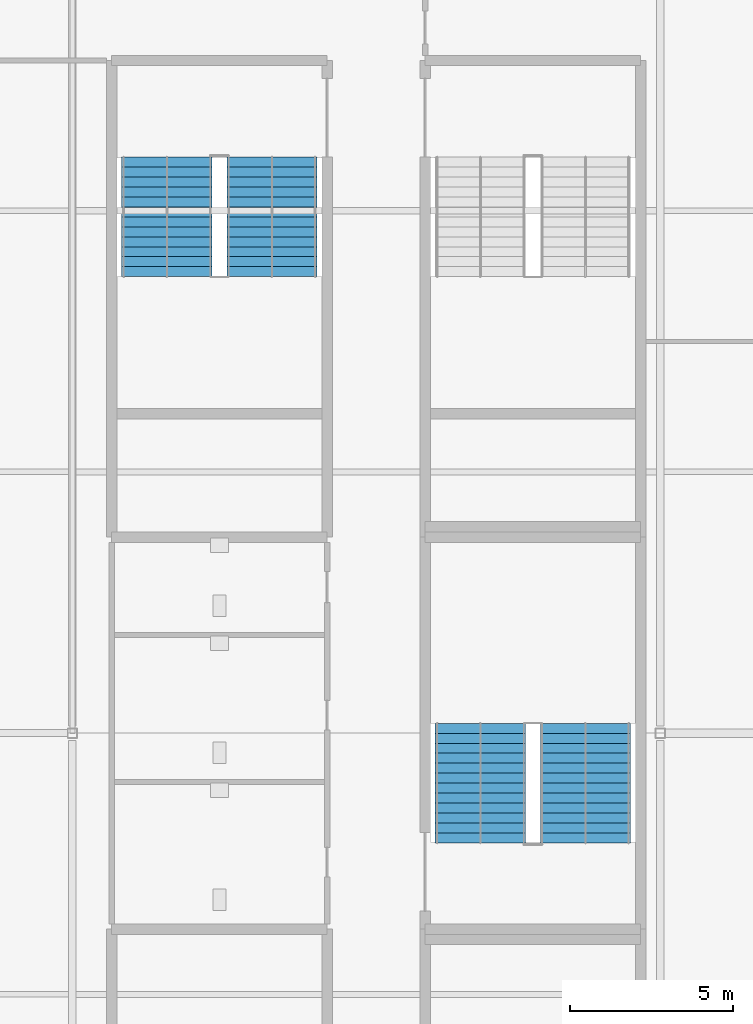
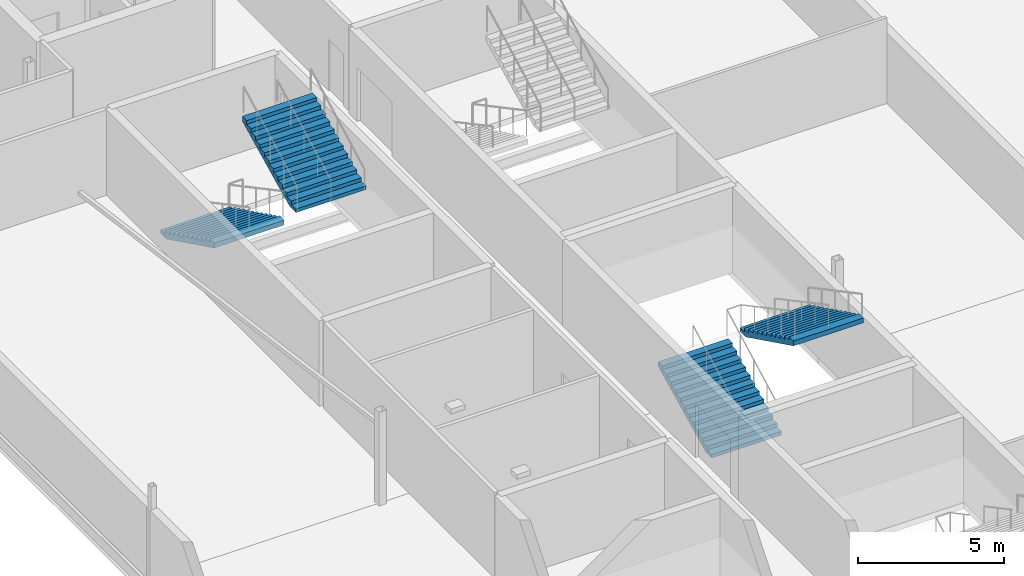
# One storey, part 43 of 55: 4 stair flights, 2 elements without a shape of their own.
"""IFC4 building model written with IfcOpenShell, lengths in metres."""

import ifcopenshell
import ifcopenshell.guid

model = None  # the IFC model being written
_history = None  # IfcOwnerHistory: only IFC2X3 demands one
_inside = {}  # id of a spatial element -> (the spatial element, [elements in it])
_under = {}  # id of a project, library or spatial element -> (it, [spatial elements below it])
_declared = {}  # id of a project -> (the project, [libraries it declares])
_typed = {}  # id of a type object -> (the type object, [elements of that type])
_made_of = {}  # id of a material, layer set ... -> (it, [elements and type objects made of it])


def new_model(schema):
    """Start an empty IFC model of exactly this schema.

    Asked for "IFC4X3", IfcOpenShell would pick the latest addendum, in which some entities
    have other attributes; the version numbers below select the first issue.
    IFC2X3 requires an IfcOwnerHistory on every rooted entity: one is made here for all.
    """
    global model, _history
    if schema == "IFC4X3":
        model = ifcopenshell.file(schema_version=(4, 3, 0, 0))
    else:
        model = ifcopenshell.file(schema=schema)
    _inside.clear()
    _under.clear()
    _declared.clear()
    _typed.clear()
    _made_of.clear()
    _history = None
    if model.schema == "IFC2X3":
        org = make("IfcOrganization", Name="unknown")
        user = make(
            "IfcPersonAndOrganization",
            ThePerson=make("IfcPerson", FamilyName="unknown"),
            TheOrganization=org,
        )
        app = make(
            "IfcApplication",
            ApplicationDeveloper=org,
            Version="unknown",
            ApplicationFullName="unknown",
            ApplicationIdentifier="unknown",
        )
        _history = make(
            "IfcOwnerHistory",
            OwningUser=user,
            OwningApplication=app,
            ChangeAction="ADDED",
            CreationDate=0,
        )
    return model


def make(cls, **values):
    """One entity of the class cls with the attributes given. An attribute that is None is left unset."""
    return model.create_entity(
        cls, **{name: value for name, value in values.items() if value is not None}
    )


def rooted(cls, **values):
    """An entity with a GlobalId (a new one), such as an element, a storey or a relation."""
    return make(cls, GlobalId=ifcopenshell.guid.new(), OwnerHistory=_history, **values)


def si_unit(unit_type, name, prefix=None):
    """IfcSIUnit, for example si_unit("LENGTHUNIT", "METRE", prefix="MILLI")."""
    return make("IfcSIUnit", UnitType=unit_type, Prefix=prefix, Name=name)


def assignment(units):
    """IfcUnitAssignment: the units of a project."""
    return None if units is None else make("IfcUnitAssignment", Units=units)


def point(xyz):
    """IfcCartesianPoint."""
    return None if xyz is None else make("IfcCartesianPoint", Coordinates=xyz)


def direction(xyz):
    """IfcDirection."""
    return None if xyz is None else make("IfcDirection", DirectionRatios=xyz)


def frame(location, z_axis=None, x_axis=None):
    """IfcAxis2Placement3D, a coordinate frame: its origin and axes. An axis left out is left unset."""
    return make(
        "IfcAxis2Placement3D",
        Location=point(location),
        Axis=direction(z_axis),
        RefDirection=direction(x_axis),
    )


def origin():
    """The frame at (0, 0, 0) with its axes left unset."""
    return frame((0.0, 0.0, 0.0))


def place(relative_to, where):
    """IfcLocalPlacement: puts the frame where relative to a parent placement (None: the world)."""
    return make(
        "IfcLocalPlacement", PlacementRelTo=relative_to, RelativePlacement=where
    )


def context(
    kind, dimensions, precision=None, world=None, true_north=None, identifier=None
):
    """IfcGeometricRepresentationContext, for example the 3D "Model" context."""
    return make(
        "IfcGeometricRepresentationContext",
        ContextIdentifier=identifier,
        ContextType=kind,
        CoordinateSpaceDimension=dimensions,
        Precision=precision,
        WorldCoordinateSystem=world,
        TrueNorth=true_north,
    )


def subcontext(parent, identifier, kind, view, scale=None):
    """IfcGeometricRepresentationSubContext, for example "Body" below "Model"."""
    return make(
        "IfcGeometricRepresentationSubContext",
        ContextIdentifier=identifier,
        ContextType=kind,
        ParentContext=parent,
        TargetScale=scale,
        TargetView=view,
    )


def project(units=None, contexts=None):
    """IfcProject with its units and contexts."""
    return rooted(
        "IfcProject",
        Name="project",
        RepresentationContexts=contexts,
        UnitsInContext=assignment(units),
    )


def spatial(cls, under=None, at=None, **own):
    """A site, building, storey or space (cls), placed at a placement, below another one or the project."""
    s = rooted(cls, ObjectPlacement=at, **own)
    if under is not None:
        _under.setdefault(under.id(), (under, []))[1].append(s)
    return s


def point_list(points):
    """IfcCartesianPointList2D or 3D."""
    cls = (
        "IfcCartesianPointList2D" if len(points[0]) == 2 else "IfcCartesianPointList3D"
    )
    return make(cls, CoordList=points)


def polygons(points, faces, closed=None, point_numbers=None):
    """IfcPolygonalFaceSet: a face is its outer loop, then its inner loops; points numbered from 1."""
    made = []
    for loops in faces:
        if len(loops) == 1:
            made.append(make("IfcIndexedPolygonalFace", CoordIndex=loops[0]))
        else:
            made.append(
                make(
                    "IfcIndexedPolygonalFaceWithVoids",
                    CoordIndex=loops[0],
                    InnerCoordIndices=loops[1:],
                )
            )
    return make(
        "IfcPolygonalFaceSet",
        Coordinates=point_list(points),
        Closed=closed,
        Faces=made,
        PnIndex=point_numbers,
    )


def shape(context_of_items, identifier, shape_type, items):
    """IfcShapeRepresentation: the items that make up one representation, for example the "Body"."""
    return make(
        "IfcShapeRepresentation",
        ContextOfItems=context_of_items,
        RepresentationIdentifier=identifier,
        RepresentationType=shape_type,
        Items=items,
    )


def material(Name=None, Category=None):
    """IfcMaterial."""
    return make("IfcMaterial", Name=Name, Category=Category)


def made_of(thing, what):
    """Note that an element or type object is made of a material, layer set ...; save() writes the relation."""
    if what is not None:
        _made_of.setdefault(what.id(), (what, []))[1].append(thing)
    return thing


def type_object(cls, material=None, **own):
    """A type object (cls), such as IfcWallType, which elements share."""
    return made_of(rooted(cls, **own), material)


def element(
    cls,
    number,
    at=None,
    inside=None,
    cuts=None,
    type_object=None,
    material=None,
    context=None,
    identifier="Body",
    shape_type=None,
    held_by="IfcProductDefinitionShape",
    body=None,
    shapes=None,
    **own,
):
    """One element of the class cls, such as IfcWall. Its Tag is "e" and its number.

    at: its placement. inside: the storey or other place that contains it. cuts: it is an
    opening in that element (IfcRelVoidsElement). A single representation is given by context,
    identifier, shape_type and body (its items); several are given by shapes. held_by: the class
    of the entity that holds the representations. save() writes the other relations.
    """
    e = rooted(cls, Tag="e%d" % number, ObjectPlacement=at, **own)
    if body is not None:
        shapes = [shape(context, identifier, shape_type, body)]
    if shapes is not None:
        e.Representation = make(held_by, Representations=shapes)
    if inside is not None:
        _inside.setdefault(inside.id(), (inside, []))[1].append(e)
    if cuts is not None:
        rooted(
            "IfcRelVoidsElement", RelatingBuildingElement=cuts, RelatedOpeningElement=e
        )
    if type_object is not None:
        _typed.setdefault(type_object.id(), (type_object, []))[1].append(e)
    return made_of(e, material)


def aggregate(whole, parts):
    """IfcRelAggregates: a whole, such as a stair, and the parts it consists of."""
    return rooted("IfcRelAggregates", RelatingObject=whole, RelatedObjects=parts)


def save(model, path):
    """Write the relations noted so far, then the file.

    IfcRelAggregates (storeys below a building ...), IfcRelContainedInSpatialStructure (elements
    in a storey), IfcRelDefinesByType, IfcRelAssociatesMaterial and IfcRelDeclares: one each for
    every whole, place, type object, material and project.
    """
    for whole, parts in _under.values():
        aggregate(whole, parts)
    for where, things in _inside.values():
        rooted(
            "IfcRelContainedInSpatialStructure",
            RelatedElements=things,
            RelatingStructure=where,
        )
    for kind, things in _typed.values():
        rooted("IfcRelDefinesByType", RelatedObjects=things, RelatingType=kind)
    for what, things in _made_of.values():
        rooted("IfcRelAssociatesMaterial", RelatedObjects=things, RelatingMaterial=what)
    for by, libraries in _declared.values():
        rooted("IfcRelDeclares", RelatingContext=by, RelatedDefinitions=libraries)
    model.write(path)


model = new_model("IFC4")

# Units and contexts
model_context = context("Model", 3, precision=1e-05, world=origin(), true_north=direction((0.0, 1.0)))
body_context = subcontext(model_context, "Body", "Model", "MODEL_VIEW")
ifc_project = project(units=[si_unit("LENGTHUNIT", "METRE"), si_unit("AREAUNIT", "SQUARE_METRE"), si_unit("VOLUMEUNIT", "CUBIC_METRE"), si_unit("PLANEANGLEUNIT", "RADIAN"), si_unit("MASSUNIT", "GRAM", prefix="KILO")], contexts=[model_context])

# Site, building, storey
site_placement = place(None, origin())
site = spatial("IfcSite", under=ifc_project, at=site_placement, CompositionType="ELEMENT")
building_placement = place(site_placement, origin())
building = spatial("IfcBuilding", under=site, at=building_placement, Name="Kisiwana Market Hall", CompositionType="ELEMENT")
storey_placement = place(building_placement, frame((0.0, 0.0, 37.800048828125)))
storey = spatial("IfcBuildingStorey", under=building, at=storey_placement, Name="L08", CompositionType="ELEMENT", Elevation=37.800048828125)

# Stair, stair flights
ifc_material_1 = material(Name="Concrete C32/40", Category="concrete")
stair_type = type_object("IfcStairType", Name="ST-ESC-3900", PredefinedType="TWO_STRAIGHT_RUN_STAIR", material=ifc_material_1)
stair_1_placement = place(storey_placement, origin())
stair_1 = element("IfcStair", 1, at=stair_1_placement, inside=storey, type_object=stair_type, Name="Escape stair ST-W4-L08", PredefinedType="TWO_STRAIGHT_RUN_STAIR")
ifc_material_2 = material(Name="Concrete C32/40", Category="concrete")
stair_flight_type = type_object("IfcStairFlightType", Name="SF-ESC-3900", PredefinedType="STRAIGHT", material=ifc_material_2)
stair_flight_1_placement = place(storey_placement, frame((11.889892578125, 77.639892578125, 0.0), z_axis=(0.0, 0.0, 1.0), x_axis=(0.0, -1.0, 0.0)))
stair_flight_1 = element("IfcStairFlight", 2, at=stair_flight_1_placement, type_object=stair_flight_type, Name="ST-W4-L08 flight 1", NumberOfRisers=13, NumberOfTreads=12, PredefinedType="STRAIGHT", RiserHeight=0.15, TreadLength=0.305, context=body_context, shape_type="Tessellation", body=[
    polygons([(0.0, -1.380127, 0.0), (0.0, -0.690125, 0.0), (0.0, -0.000122, 0.0), (0.0, 0.68988, 0.0), (0.0, 1.379883, 0.0), (0.0, -1.380127, 0.149902), (0.0, -0.690125, 0.149902), (0.0, -0.000122, 0.149902), (0.0, 0.68988, 0.149902), (0.0, 1.379883, 0.149902), (0.304932, -1.380127, 0.149902), (0.304932, -0.690125, 0.149902), (0.304932, -0.000122, 0.149902), (0.304932, 0.68988, 0.149902), (0.304932, 1.379883, 0.149902), (0.304932, -1.380127, 0.300049), (0.304932, -0.690125, 0.300049), (0.304932, -0.000122, 0.300049), (0.304932, 0.68988, 0.300049), (0.304932, 1.379883, 0.300049), (0.610107, -1.380127, 0.300049), (0.610107, -0.690125, 0.300049), (0.610107, -0.000122, 0.300049), (0.610107, 0.68988, 0.300049), (0.610107, 1.379883, 0.300049), (0.610107, -1.380127, 0.449951), (0.610107, -0.690125, 0.449951), (0.610107, -0.000122, 0.449951), (0.610107, 0.68988, 0.449951), (0.610107, 1.379883, 0.449951), (0.915039, -1.380127, 0.449951), (0.915039, -0.690125, 0.449951), (0.915039, -0.000122, 0.449951), (0.915039, 0.68988, 0.449951), (0.915039, 1.379883, 0.449951), (0.915039, -1.380127, 0.600098), (0.915039, -0.690125, 0.600098), (0.915039, -0.000122, 0.600098), (0.915039, 0.68988, 0.600098), (0.915039, 1.379883, 0.600098), (1.219971, -1.380127, 0.600098), (1.219971, -0.690125, 0.600098), (1.219971, -0.000122, 0.600098), (1.219971, 0.68988, 0.600098), (1.219971, 1.379883, 0.600098), (1.219971, -1.380127, 0.75), (1.219971, -0.690125, 0.75), (1.219971, -0.000122, 0.75), (1.219971, 0.68988, 0.75), (1.219971, 1.379883, 0.75), (1.524902, -1.380127, 0.75), (1.524902, -0.690125, 0.75), (1.524902, -0.000122, 0.75), (1.524902, 0.68988, 0.75), (1.524902, 1.379883, 0.75), (1.524902, -1.380127, 0.899902), (1.524902, -0.690125, 0.899902), (1.524902, -0.000122, 0.899902), (1.524902, 0.68988, 0.899902), (1.524902, 1.379883, 0.899902), (1.830078, -1.380127, 0.899902), (1.830078, -0.690125, 0.899902), (1.830078, -0.000122, 0.899902), (1.830078, 0.68988, 0.899902), (1.830078, 1.379883, 0.899902), (1.830078, -1.380127, 1.050049), (1.830078, -0.690125, 1.050049), (1.830078, -0.000122, 1.050049), (1.830078, 0.68988, 1.050049), (1.830078, 1.379883, 1.050049), (2.13501, -1.380127, 1.050049), (2.13501, -0.690125, 1.050049), (2.13501, -0.000122, 1.050049), (2.13501, 0.68988, 1.050049), (2.13501, 1.379883, 1.050049), (2.13501, -1.380127, 1.199951), (2.13501, -0.690125, 1.199951), (2.13501, -0.000122, 1.199951), (2.13501, 0.68988, 1.199951), (2.13501, 1.379883, 1.199951), (2.439941, -1.380127, 1.199951), (2.439941, -0.690125, 1.199951), (2.439941, -0.000122, 1.199951), (2.439941, 0.68988, 1.199951), (2.439941, 1.379883, 1.199951), (2.439941, -1.380127, 1.350098), (2.439941, -0.690125, 1.350098), (2.439941, -0.000122, 1.350098), (2.439941, 0.68988, 1.350098), (2.439941, 1.379883, 1.350098), (2.745117, -1.380127, 1.350098), (2.745117, -0.690125, 1.350098), (2.745117, -0.000122, 1.350098), (2.745117, 0.68988, 1.350098), (2.745117, 1.379883, 1.350098), (2.745117, -1.380127, 1.5), (2.745117, -0.690125, 1.5), (2.745117, -0.000122, 1.5), (2.745117, 0.68988, 1.5), (2.745117, 1.379883, 1.5), (3.050049, -1.380127, 1.5), (3.050049, -0.690125, 1.5), (3.050049, -0.000122, 1.5), (3.050049, 0.68988, 1.5), (3.050049, 1.379883, 1.5), (3.050049, -1.380127, 1.649902), (3.050049, -0.690125, 1.649902), (3.050049, -0.000122, 1.649902), (3.050049, 0.68988, 1.649902), (3.050049, 1.379883, 1.649902), (3.35498, -1.380127, 1.649902), (3.35498, -0.690125, 1.649902), (3.35498, -0.000122, 1.649902), (3.35498, 0.68988, 1.649902), (3.35498, 1.379883, 1.649902), (3.35498, -1.380127, 1.800049), (3.35498, -0.690125, 1.800049), (3.35498, -0.000122, 1.800049), (3.35498, 0.68988, 1.800049), (3.35498, 1.379883, 1.800049), (3.659912, -1.380127, 1.800049), (3.659912, -0.690125, 1.800049), (3.659912, -0.000122, 1.800049), (3.659912, 0.68988, 1.800049), (3.659912, 1.379883, 1.800049), (3.659912, -1.380127, 1.599365), (3.659912, -0.690125, 1.599365), (3.659912, -0.000122, 1.599365), (3.659912, 0.68988, 1.599365), (3.659912, 1.379883, 1.599365), (0.407715, -1.380127, 0.0), (0.407715, -0.690125, 0.0), (0.407715, -0.000122, 0.0), (0.407715, 0.68988, 0.0), (0.407715, 1.379883, 0.0)], [[[1, 6, 7, 2]], [[2, 7, 8, 3]], [[3, 8, 9, 4]], [[4, 9, 10, 5]], [[6, 11, 12, 7]], [[7, 12, 13, 8]], [[8, 13, 14, 9]], [[9, 14, 15, 10]], [[11, 16, 17, 12]], [[12, 17, 18, 13]], [[13, 18, 19, 14]], [[14, 19, 20, 15]], [[16, 21, 22, 17]], [[17, 22, 23, 18]], [[18, 23, 24, 19]], [[19, 24, 25, 20]], [[21, 26, 27, 22]], [[22, 27, 28, 23]], [[23, 28, 29, 24]], [[24, 29, 30, 25]], [[26, 31, 32, 27]], [[27, 32, 33, 28]], [[28, 33, 34, 29]], [[29, 34, 35, 30]], [[31, 36, 37, 32]], [[32, 37, 38, 33]], [[33, 38, 39, 34]], [[34, 39, 40, 35]], [[36, 41, 42, 37]], [[37, 42, 43, 38]], [[38, 43, 44, 39]], [[39, 44, 45, 40]], [[41, 46, 47, 42]], [[42, 47, 48, 43]], [[43, 48, 49, 44]], [[44, 49, 50, 45]], [[46, 51, 52, 47]], [[47, 52, 53, 48]], [[48, 53, 54, 49]], [[49, 54, 55, 50]], [[51, 56, 57, 52]], [[52, 57, 58, 53]], [[53, 58, 59, 54]], [[54, 59, 60, 55]], [[56, 61, 62, 57]], [[57, 62, 63, 58]], [[58, 63, 64, 59]], [[59, 64, 65, 60]], [[61, 66, 67, 62]], [[62, 67, 68, 63]], [[63, 68, 69, 64]], [[64, 69, 70, 65]], [[66, 71, 72, 67]], [[67, 72, 73, 68]], [[68, 73, 74, 69]], [[69, 74, 75, 70]], [[71, 76, 77, 72]], [[72, 77, 78, 73]], [[73, 78, 79, 74]], [[74, 79, 80, 75]], [[76, 81, 82, 77]], [[77, 82, 83, 78]], [[78, 83, 84, 79]], [[79, 84, 85, 80]], [[81, 86, 87, 82]], [[82, 87, 88, 83]], [[83, 88, 89, 84]], [[84, 89, 90, 85]], [[86, 91, 92, 87]], [[87, 92, 93, 88]], [[88, 93, 94, 89]], [[89, 94, 95, 90]], [[91, 96, 97, 92]], [[92, 97, 98, 93]], [[93, 98, 99, 94]], [[94, 99, 100, 95]], [[96, 101, 102, 97]], [[97, 102, 103, 98]], [[98, 103, 104, 99]], [[99, 104, 105, 100]], [[101, 106, 107, 102]], [[102, 107, 108, 103]], [[103, 108, 109, 104]], [[104, 109, 110, 105]], [[106, 111, 112, 107]], [[107, 112, 113, 108]], [[108, 113, 114, 109]], [[109, 114, 115, 110]], [[111, 116, 117, 112]], [[112, 117, 118, 113]], [[113, 118, 119, 114]], [[114, 119, 120, 115]], [[116, 121, 122, 117]], [[117, 122, 123, 118]], [[118, 123, 124, 119]], [[119, 124, 125, 120]], [[121, 126, 127, 122]], [[122, 127, 128, 123]], [[123, 128, 129, 124]], [[124, 129, 130, 125]], [[126, 131, 132, 127]], [[127, 132, 133, 128]], [[128, 133, 134, 129]], [[129, 134, 135, 130]], [[131, 1, 2, 132]], [[132, 2, 3, 133]], [[133, 3, 4, 134]], [[134, 4, 5, 135]], [[131, 126, 121, 116, 111, 106, 101, 96, 91, 86, 81, 76, 71, 66, 61, 56, 51, 46, 41, 36, 31, 26, 21, 16, 11, 6, 1]], [[5, 10, 15, 20, 25, 30, 35, 40, 45, 50, 55, 60, 65, 70, 75, 80, 85, 90, 95, 100, 105, 110, 115, 120, 125, 130, 135]]], closed=True),
])
stair_flight_2_placement = place(storey_placement, frame((15.110107421875, 73.97998046875, 1.949951171875), z_axis=(0.0, 0.0, 1.0), x_axis=(0.0, 1.0, 0.0)))
stair_flight_2 = element("IfcStairFlight", 3, at=stair_flight_2_placement, type_object=stair_flight_type, Name="ST-W4-L08 flight 2", NumberOfRisers=13, NumberOfTreads=12, PredefinedType="STRAIGHT", RiserHeight=0.15, TreadLength=0.305, context=body_context, shape_type="Tessellation", body=[
    polygons([(0.0, -1.380127, 0.0), (0.0, -0.690125, 0.0), (0.0, -0.000122, 0.0), (0.0, 0.68988, 0.0), (0.0, 1.379883, 0.0), (0.0, -1.380127, 0.149902), (0.0, -0.690125, 0.149902), (0.0, -0.000122, 0.149902), (0.0, 0.68988, 0.149902), (0.0, 1.379883, 0.149902), (0.304932, -1.380127, 0.149902), (0.304932, -0.690125, 0.149902), (0.304932, -0.000122, 0.149902), (0.304932, 0.68988, 0.149902), (0.304932, 1.379883, 0.149902), (0.304932, -1.380127, 0.300049), (0.304932, -0.690125, 0.300049), (0.304932, -0.000122, 0.300049), (0.304932, 0.68988, 0.300049), (0.304932, 1.379883, 0.300049), (0.610107, -1.380127, 0.300049), (0.610107, -0.690125, 0.300049), (0.610107, -0.000122, 0.300049), (0.610107, 0.68988, 0.300049), (0.610107, 1.379883, 0.300049), (0.610107, -1.380127, 0.449951), (0.610107, -0.690125, 0.449951), (0.610107, -0.000122, 0.449951), (0.610107, 0.68988, 0.449951), (0.610107, 1.379883, 0.449951), (0.915039, -1.380127, 0.449951), (0.915039, -0.690125, 0.449951), (0.915039, -0.000122, 0.449951), (0.915039, 0.68988, 0.449951), (0.915039, 1.379883, 0.449951), (0.915039, -1.380127, 0.600098), (0.915039, -0.690125, 0.600098), (0.915039, -0.000122, 0.600098), (0.915039, 0.68988, 0.600098), (0.915039, 1.379883, 0.600098), (1.219971, -1.380127, 0.600098), (1.219971, -0.690125, 0.600098), (1.219971, -0.000122, 0.600098), (1.219971, 0.68988, 0.600098), (1.219971, 1.379883, 0.600098), (1.219971, -1.380127, 0.75), (1.219971, -0.690125, 0.75), (1.219971, -0.000122, 0.75), (1.219971, 0.68988, 0.75), (1.219971, 1.379883, 0.75), (1.524902, -1.380127, 0.75), (1.524902, -0.690125, 0.75), (1.524902, -0.000122, 0.75), (1.524902, 0.68988, 0.75), (1.524902, 1.379883, 0.75), (1.524902, -1.380127, 0.899902), (1.524902, -0.690125, 0.899902), (1.524902, -0.000122, 0.899902), (1.524902, 0.68988, 0.899902), (1.524902, 1.379883, 0.899902), (1.830078, -1.380127, 0.899902), (1.830078, -0.690125, 0.899902), (1.830078, -0.000122, 0.899902), (1.830078, 0.68988, 0.899902), (1.830078, 1.379883, 0.899902), (1.830078, -1.380127, 1.050049), (1.830078, -0.690125, 1.050049), (1.830078, -0.000122, 1.050049), (1.830078, 0.68988, 1.050049), (1.830078, 1.379883, 1.050049), (2.13501, -1.380127, 1.050049), (2.13501, -0.690125, 1.050049), (2.13501, -0.000122, 1.050049), (2.13501, 0.68988, 1.050049), (2.13501, 1.379883, 1.050049), (2.13501, -1.380127, 1.199951), (2.13501, -0.690125, 1.199951), (2.13501, -0.000122, 1.199951), (2.13501, 0.68988, 1.199951), (2.13501, 1.379883, 1.199951), (2.439941, -1.380127, 1.199951), (2.439941, -0.690125, 1.199951), (2.439941, -0.000122, 1.199951), (2.439941, 0.68988, 1.199951), (2.439941, 1.379883, 1.199951), (2.439941, -1.380127, 1.350098), (2.439941, -0.690125, 1.350098), (2.439941, -0.000122, 1.350098), (2.439941, 0.68988, 1.350098), (2.439941, 1.379883, 1.350098), (2.745117, -1.380127, 1.350098), (2.745117, -0.690125, 1.350098), (2.745117, -0.000122, 1.350098), (2.745117, 0.68988, 1.350098), (2.745117, 1.379883, 1.350098), (2.745117, -1.380127, 1.5), (2.745117, -0.690125, 1.5), (2.745117, -0.000122, 1.5), (2.745117, 0.68988, 1.5), (2.745117, 1.379883, 1.5), (3.050049, -1.380127, 1.5), (3.050049, -0.690125, 1.5), (3.050049, -0.000122, 1.5), (3.050049, 0.68988, 1.5), (3.050049, 1.379883, 1.5), (3.050049, -1.380127, 1.649902), (3.050049, -0.690125, 1.649902), (3.050049, -0.000122, 1.649902), (3.050049, 0.68988, 1.649902), (3.050049, 1.379883, 1.649902), (3.35498, -1.380127, 1.649902), (3.35498, -0.690125, 1.649902), (3.35498, -0.000122, 1.649902), (3.35498, 0.68988, 1.649902), (3.35498, 1.379883, 1.649902), (3.35498, -1.380127, 1.800049), (3.35498, -0.690125, 1.800049), (3.35498, -0.000122, 1.800049), (3.35498, 0.68988, 1.800049), (3.35498, 1.379883, 1.800049), (3.659912, -1.380127, 1.800049), (3.659912, -0.690125, 1.800049), (3.659912, -0.000122, 1.800049), (3.659912, 0.68988, 1.800049), (3.659912, 1.379883, 1.800049), (3.659912, -1.380127, 1.599365), (3.659912, -0.690125, 1.599365), (3.659912, -0.000122, 1.599365), (3.659912, 0.68988, 1.599365), (3.659912, 1.379883, 1.599365), (0.407715, -1.380127, 0.0), (0.407715, -0.690125, 0.0), (0.407715, -0.000122, 0.0), (0.407715, 0.68988, 0.0), (0.407715, 1.379883, 0.0)], [[[1, 6, 7, 2]], [[2, 7, 8, 3]], [[3, 8, 9, 4]], [[4, 9, 10, 5]], [[6, 11, 12, 7]], [[7, 12, 13, 8]], [[8, 13, 14, 9]], [[9, 14, 15, 10]], [[11, 16, 17, 12]], [[12, 17, 18, 13]], [[13, 18, 19, 14]], [[14, 19, 20, 15]], [[16, 21, 22, 17]], [[17, 22, 23, 18]], [[18, 23, 24, 19]], [[19, 24, 25, 20]], [[21, 26, 27, 22]], [[22, 27, 28, 23]], [[23, 28, 29, 24]], [[24, 29, 30, 25]], [[26, 31, 32, 27]], [[27, 32, 33, 28]], [[28, 33, 34, 29]], [[29, 34, 35, 30]], [[31, 36, 37, 32]], [[32, 37, 38, 33]], [[33, 38, 39, 34]], [[34, 39, 40, 35]], [[36, 41, 42, 37]], [[37, 42, 43, 38]], [[38, 43, 44, 39]], [[39, 44, 45, 40]], [[41, 46, 47, 42]], [[42, 47, 48, 43]], [[43, 48, 49, 44]], [[44, 49, 50, 45]], [[46, 51, 52, 47]], [[47, 52, 53, 48]], [[48, 53, 54, 49]], [[49, 54, 55, 50]], [[51, 56, 57, 52]], [[52, 57, 58, 53]], [[53, 58, 59, 54]], [[54, 59, 60, 55]], [[56, 61, 62, 57]], [[57, 62, 63, 58]], [[58, 63, 64, 59]], [[59, 64, 65, 60]], [[61, 66, 67, 62]], [[62, 67, 68, 63]], [[63, 68, 69, 64]], [[64, 69, 70, 65]], [[66, 71, 72, 67]], [[67, 72, 73, 68]], [[68, 73, 74, 69]], [[69, 74, 75, 70]], [[71, 76, 77, 72]], [[72, 77, 78, 73]], [[73, 78, 79, 74]], [[74, 79, 80, 75]], [[76, 81, 82, 77]], [[77, 82, 83, 78]], [[78, 83, 84, 79]], [[79, 84, 85, 80]], [[81, 86, 87, 82]], [[82, 87, 88, 83]], [[83, 88, 89, 84]], [[84, 89, 90, 85]], [[86, 91, 92, 87]], [[87, 92, 93, 88]], [[88, 93, 94, 89]], [[89, 94, 95, 90]], [[91, 96, 97, 92]], [[92, 97, 98, 93]], [[93, 98, 99, 94]], [[94, 99, 100, 95]], [[96, 101, 102, 97]], [[97, 102, 103, 98]], [[98, 103, 104, 99]], [[99, 104, 105, 100]], [[101, 106, 107, 102]], [[102, 107, 108, 103]], [[103, 108, 109, 104]], [[104, 109, 110, 105]], [[106, 111, 112, 107]], [[107, 112, 113, 108]], [[108, 113, 114, 109]], [[109, 114, 115, 110]], [[111, 116, 117, 112]], [[112, 117, 118, 113]], [[113, 118, 119, 114]], [[114, 119, 120, 115]], [[116, 121, 122, 117]], [[117, 122, 123, 118]], [[118, 123, 124, 119]], [[119, 124, 125, 120]], [[121, 126, 127, 122]], [[122, 127, 128, 123]], [[123, 128, 129, 124]], [[124, 129, 130, 125]], [[126, 131, 132, 127]], [[127, 132, 133, 128]], [[128, 133, 134, 129]], [[129, 134, 135, 130]], [[131, 1, 2, 132]], [[132, 2, 3, 133]], [[133, 3, 4, 134]], [[134, 4, 5, 135]], [[131, 126, 121, 116, 111, 106, 101, 96, 91, 86, 81, 76, 71, 66, 61, 56, 51, 46, 41, 36, 31, 26, 21, 16, 11, 6, 1]], [[5, 10, 15, 20, 25, 30, 35, 40, 45, 50, 55, 60, 65, 70, 75, 80, 85, 90, 95, 100, 105, 110, 115, 120, 125, 130, 135]]], closed=True),
])
aggregate(stair_1, [stair_flight_1, stair_flight_2])

stair_2_placement = place(storey_placement, origin())
stair_2 = element("IfcStair", 4, at=stair_2_placement, inside=storey, type_object=stair_type, Name="Escape stair ST-W5-L08", PredefinedType="TWO_STRAIGHT_RUN_STAIR")
stair_flight_3_placement = place(storey_placement, frame((21.489990234375, 56.639892578125, 0.0), z_axis=(0.0, 0.0, 1.0), x_axis=(0.0, 1.0, 0.0)))
stair_flight_3 = element("IfcStairFlight", 5, at=stair_flight_3_placement, type_object=stair_flight_type, Name="ST-W5-L08 flight 1", NumberOfRisers=13, NumberOfTreads=12, PredefinedType="STRAIGHT", RiserHeight=0.15, TreadLength=0.305, context=body_context, shape_type="Tessellation", body=[
    polygons([(0.0, -1.380127, 0.0), (0.0, -0.690125, 0.0), (0.0, -0.000122, 0.0), (0.0, 0.68988, 0.0), (0.0, 1.379883, 0.0), (0.0, -1.380127, 0.149902), (0.0, -0.690125, 0.149902), (0.0, -0.000122, 0.149902), (0.0, 0.68988, 0.149902), (0.0, 1.379883, 0.149902), (0.304932, -1.380127, 0.149902), (0.304932, -0.690125, 0.149902), (0.304932, -0.000122, 0.149902), (0.304932, 0.68988, 0.149902), (0.304932, 1.379883, 0.149902), (0.304932, -1.380127, 0.300049), (0.304932, -0.690125, 0.300049), (0.304932, -0.000122, 0.300049), (0.304932, 0.68988, 0.300049), (0.304932, 1.379883, 0.300049), (0.610107, -1.380127, 0.300049), (0.610107, -0.690125, 0.300049), (0.610107, -0.000122, 0.300049), (0.610107, 0.68988, 0.300049), (0.610107, 1.379883, 0.300049), (0.610107, -1.380127, 0.449951), (0.610107, -0.690125, 0.449951), (0.610107, -0.000122, 0.449951), (0.610107, 0.68988, 0.449951), (0.610107, 1.379883, 0.449951), (0.915039, -1.380127, 0.449951), (0.915039, -0.690125, 0.449951), (0.915039, -0.000122, 0.449951), (0.915039, 0.68988, 0.449951), (0.915039, 1.379883, 0.449951), (0.915039, -1.380127, 0.600098), (0.915039, -0.690125, 0.600098), (0.915039, -0.000122, 0.600098), (0.915039, 0.68988, 0.600098), (0.915039, 1.379883, 0.600098), (1.219971, -1.380127, 0.600098), (1.219971, -0.690125, 0.600098), (1.219971, -0.000122, 0.600098), (1.219971, 0.68988, 0.600098), (1.219971, 1.379883, 0.600098), (1.219971, -1.380127, 0.75), (1.219971, -0.690125, 0.75), (1.219971, -0.000122, 0.75), (1.219971, 0.68988, 0.75), (1.219971, 1.379883, 0.75), (1.524902, -1.380127, 0.75), (1.524902, -0.690125, 0.75), (1.524902, -0.000122, 0.75), (1.524902, 0.68988, 0.75), (1.524902, 1.379883, 0.75), (1.524902, -1.380127, 0.899902), (1.524902, -0.690125, 0.899902), (1.524902, -0.000122, 0.899902), (1.524902, 0.68988, 0.899902), (1.524902, 1.379883, 0.899902), (1.830078, -1.380127, 0.899902), (1.830078, -0.690125, 0.899902), (1.830078, -0.000122, 0.899902), (1.830078, 0.68988, 0.899902), (1.830078, 1.379883, 0.899902), (1.830078, -1.380127, 1.050049), (1.830078, -0.690125, 1.050049), (1.830078, -0.000122, 1.050049), (1.830078, 0.68988, 1.050049), (1.830078, 1.379883, 1.050049), (2.13501, -1.380127, 1.050049), (2.13501, -0.690125, 1.050049), (2.13501, -0.000122, 1.050049), (2.13501, 0.68988, 1.050049), (2.13501, 1.379883, 1.050049), (2.13501, -1.380127, 1.199951), (2.13501, -0.690125, 1.199951), (2.13501, -0.000122, 1.199951), (2.13501, 0.68988, 1.199951), (2.13501, 1.379883, 1.199951), (2.439941, -1.380127, 1.199951), (2.439941, -0.690125, 1.199951), (2.439941, -0.000122, 1.199951), (2.439941, 0.68988, 1.199951), (2.439941, 1.379883, 1.199951), (2.439941, -1.380127, 1.350098), (2.439941, -0.690125, 1.350098), (2.439941, -0.000122, 1.350098), (2.439941, 0.68988, 1.350098), (2.439941, 1.379883, 1.350098), (2.745117, -1.380127, 1.350098), (2.745117, -0.690125, 1.350098), (2.745117, -0.000122, 1.350098), (2.745117, 0.68988, 1.350098), (2.745117, 1.379883, 1.350098), (2.745117, -1.380127, 1.5), (2.745117, -0.690125, 1.5), (2.745117, -0.000122, 1.5), (2.745117, 0.68988, 1.5), (2.745117, 1.379883, 1.5), (3.050049, -1.380127, 1.5), (3.050049, -0.690125, 1.5), (3.050049, -0.000122, 1.5), (3.050049, 0.68988, 1.5), (3.050049, 1.379883, 1.5), (3.050049, -1.380127, 1.649902), (3.050049, -0.690125, 1.649902), (3.050049, -0.000122, 1.649902), (3.050049, 0.68988, 1.649902), (3.050049, 1.379883, 1.649902), (3.35498, -1.380127, 1.649902), (3.35498, -0.690125, 1.649902), (3.35498, -0.000122, 1.649902), (3.35498, 0.68988, 1.649902), (3.35498, 1.379883, 1.649902), (3.35498, -1.380127, 1.800049), (3.35498, -0.690125, 1.800049), (3.35498, -0.000122, 1.800049), (3.35498, 0.68988, 1.800049), (3.35498, 1.379883, 1.800049), (3.659912, -1.380127, 1.800049), (3.659912, -0.690125, 1.800049), (3.659912, -0.000122, 1.800049), (3.659912, 0.68988, 1.800049), (3.659912, 1.379883, 1.800049), (3.659912, -1.380127, 1.599365), (3.659912, -0.690125, 1.599365), (3.659912, -0.000122, 1.599365), (3.659912, 0.68988, 1.599365), (3.659912, 1.379883, 1.599365), (0.407715, -1.380127, 0.0), (0.407715, -0.690125, 0.0), (0.407715, -0.000122, 0.0), (0.407715, 0.68988, 0.0), (0.407715, 1.379883, 0.0)], [[[1, 6, 7, 2]], [[2, 7, 8, 3]], [[3, 8, 9, 4]], [[4, 9, 10, 5]], [[6, 11, 12, 7]], [[7, 12, 13, 8]], [[8, 13, 14, 9]], [[9, 14, 15, 10]], [[11, 16, 17, 12]], [[12, 17, 18, 13]], [[13, 18, 19, 14]], [[14, 19, 20, 15]], [[16, 21, 22, 17]], [[17, 22, 23, 18]], [[18, 23, 24, 19]], [[19, 24, 25, 20]], [[21, 26, 27, 22]], [[22, 27, 28, 23]], [[23, 28, 29, 24]], [[24, 29, 30, 25]], [[26, 31, 32, 27]], [[27, 32, 33, 28]], [[28, 33, 34, 29]], [[29, 34, 35, 30]], [[31, 36, 37, 32]], [[32, 37, 38, 33]], [[33, 38, 39, 34]], [[34, 39, 40, 35]], [[36, 41, 42, 37]], [[37, 42, 43, 38]], [[38, 43, 44, 39]], [[39, 44, 45, 40]], [[41, 46, 47, 42]], [[42, 47, 48, 43]], [[43, 48, 49, 44]], [[44, 49, 50, 45]], [[46, 51, 52, 47]], [[47, 52, 53, 48]], [[48, 53, 54, 49]], [[49, 54, 55, 50]], [[51, 56, 57, 52]], [[52, 57, 58, 53]], [[53, 58, 59, 54]], [[54, 59, 60, 55]], [[56, 61, 62, 57]], [[57, 62, 63, 58]], [[58, 63, 64, 59]], [[59, 64, 65, 60]], [[61, 66, 67, 62]], [[62, 67, 68, 63]], [[63, 68, 69, 64]], [[64, 69, 70, 65]], [[66, 71, 72, 67]], [[67, 72, 73, 68]], [[68, 73, 74, 69]], [[69, 74, 75, 70]], [[71, 76, 77, 72]], [[72, 77, 78, 73]], [[73, 78, 79, 74]], [[74, 79, 80, 75]], [[76, 81, 82, 77]], [[77, 82, 83, 78]], [[78, 83, 84, 79]], [[79, 84, 85, 80]], [[81, 86, 87, 82]], [[82, 87, 88, 83]], [[83, 88, 89, 84]], [[84, 89, 90, 85]], [[86, 91, 92, 87]], [[87, 92, 93, 88]], [[88, 93, 94, 89]], [[89, 94, 95, 90]], [[91, 96, 97, 92]], [[92, 97, 98, 93]], [[93, 98, 99, 94]], [[94, 99, 100, 95]], [[96, 101, 102, 97]], [[97, 102, 103, 98]], [[98, 103, 104, 99]], [[99, 104, 105, 100]], [[101, 106, 107, 102]], [[102, 107, 108, 103]], [[103, 108, 109, 104]], [[104, 109, 110, 105]], [[106, 111, 112, 107]], [[107, 112, 113, 108]], [[108, 113, 114, 109]], [[109, 114, 115, 110]], [[111, 116, 117, 112]], [[112, 117, 118, 113]], [[113, 118, 119, 114]], [[114, 119, 120, 115]], [[116, 121, 122, 117]], [[117, 122, 123, 118]], [[118, 123, 124, 119]], [[119, 124, 125, 120]], [[121, 126, 127, 122]], [[122, 127, 128, 123]], [[123, 128, 129, 124]], [[124, 129, 130, 125]], [[126, 131, 132, 127]], [[127, 132, 133, 128]], [[128, 133, 134, 129]], [[129, 134, 135, 130]], [[131, 1, 2, 132]], [[132, 2, 3, 133]], [[133, 3, 4, 134]], [[134, 4, 5, 135]], [[131, 126, 121, 116, 111, 106, 101, 96, 91, 86, 81, 76, 71, 66, 61, 56, 51, 46, 41, 36, 31, 26, 21, 16, 11, 6, 1]], [[5, 10, 15, 20, 25, 30, 35, 40, 45, 50, 55, 60, 65, 70, 75, 80, 85, 90, 95, 100, 105, 110, 115, 120, 125, 130, 135]]], closed=True),
])
stair_flight_4_placement = place(storey_placement, frame((24.7099609375, 60.300048828125, 1.949951171875), z_axis=(0.0, 0.0, 1.0), x_axis=(0.0, -1.0, 0.0)))
stair_flight_4 = element("IfcStairFlight", 6, at=stair_flight_4_placement, type_object=stair_flight_type, Name="ST-W5-L08 flight 2", NumberOfRisers=13, NumberOfTreads=12, PredefinedType="STRAIGHT", RiserHeight=0.15, TreadLength=0.305, context=body_context, shape_type="Tessellation", body=[
    polygons([(0.0, -1.380127, 0.0), (0.0, -0.690125, 0.0), (0.0, -0.000122, 0.0), (0.0, 0.68988, 0.0), (0.0, 1.379883, 0.0), (0.0, -1.380127, 0.149902), (0.0, -0.690125, 0.149902), (0.0, -0.000122, 0.149902), (0.0, 0.68988, 0.149902), (0.0, 1.379883, 0.149902), (0.304932, -1.380127, 0.149902), (0.304932, -0.690125, 0.149902), (0.304932, -0.000122, 0.149902), (0.304932, 0.68988, 0.149902), (0.304932, 1.379883, 0.149902), (0.304932, -1.380127, 0.300049), (0.304932, -0.690125, 0.300049), (0.304932, -0.000122, 0.300049), (0.304932, 0.68988, 0.300049), (0.304932, 1.379883, 0.300049), (0.610107, -1.380127, 0.300049), (0.610107, -0.690125, 0.300049), (0.610107, -0.000122, 0.300049), (0.610107, 0.68988, 0.300049), (0.610107, 1.379883, 0.300049), (0.610107, -1.380127, 0.449951), (0.610107, -0.690125, 0.449951), (0.610107, -0.000122, 0.449951), (0.610107, 0.68988, 0.449951), (0.610107, 1.379883, 0.449951), (0.915039, -1.380127, 0.449951), (0.915039, -0.690125, 0.449951), (0.915039, -0.000122, 0.449951), (0.915039, 0.68988, 0.449951), (0.915039, 1.379883, 0.449951), (0.915039, -1.380127, 0.600098), (0.915039, -0.690125, 0.600098), (0.915039, -0.000122, 0.600098), (0.915039, 0.68988, 0.600098), (0.915039, 1.379883, 0.600098), (1.219971, -1.380127, 0.600098), (1.219971, -0.690125, 0.600098), (1.219971, -0.000122, 0.600098), (1.219971, 0.68988, 0.600098), (1.219971, 1.379883, 0.600098), (1.219971, -1.380127, 0.75), (1.219971, -0.690125, 0.75), (1.219971, -0.000122, 0.75), (1.219971, 0.68988, 0.75), (1.219971, 1.379883, 0.75), (1.524902, -1.380127, 0.75), (1.524902, -0.690125, 0.75), (1.524902, -0.000122, 0.75), (1.524902, 0.68988, 0.75), (1.524902, 1.379883, 0.75), (1.524902, -1.380127, 0.899902), (1.524902, -0.690125, 0.899902), (1.524902, -0.000122, 0.899902), (1.524902, 0.68988, 0.899902), (1.524902, 1.379883, 0.899902), (1.830078, -1.380127, 0.899902), (1.830078, -0.690125, 0.899902), (1.830078, -0.000122, 0.899902), (1.830078, 0.68988, 0.899902), (1.830078, 1.379883, 0.899902), (1.830078, -1.380127, 1.050049), (1.830078, -0.690125, 1.050049), (1.830078, -0.000122, 1.050049), (1.830078, 0.68988, 1.050049), (1.830078, 1.379883, 1.050049), (2.13501, -1.380127, 1.050049), (2.13501, -0.690125, 1.050049), (2.13501, -0.000122, 1.050049), (2.13501, 0.68988, 1.050049), (2.13501, 1.379883, 1.050049), (2.13501, -1.380127, 1.199951), (2.13501, -0.690125, 1.199951), (2.13501, -0.000122, 1.199951), (2.13501, 0.68988, 1.199951), (2.13501, 1.379883, 1.199951), (2.439941, -1.380127, 1.199951), (2.439941, -0.690125, 1.199951), (2.439941, -0.000122, 1.199951), (2.439941, 0.68988, 1.199951), (2.439941, 1.379883, 1.199951), (2.439941, -1.380127, 1.350098), (2.439941, -0.690125, 1.350098), (2.439941, -0.000122, 1.350098), (2.439941, 0.68988, 1.350098), (2.439941, 1.379883, 1.350098), (2.745117, -1.380127, 1.350098), (2.745117, -0.690125, 1.350098), (2.745117, -0.000122, 1.350098), (2.745117, 0.68988, 1.350098), (2.745117, 1.379883, 1.350098), (2.745117, -1.380127, 1.5), (2.745117, -0.690125, 1.5), (2.745117, -0.000122, 1.5), (2.745117, 0.68988, 1.5), (2.745117, 1.379883, 1.5), (3.050049, -1.380127, 1.5), (3.050049, -0.690125, 1.5), (3.050049, -0.000122, 1.5), (3.050049, 0.68988, 1.5), (3.050049, 1.379883, 1.5), (3.050049, -1.380127, 1.649902), (3.050049, -0.690125, 1.649902), (3.050049, -0.000122, 1.649902), (3.050049, 0.68988, 1.649902), (3.050049, 1.379883, 1.649902), (3.35498, -1.380127, 1.649902), (3.35498, -0.690125, 1.649902), (3.35498, -0.000122, 1.649902), (3.35498, 0.68988, 1.649902), (3.35498, 1.379883, 1.649902), (3.35498, -1.380127, 1.800049), (3.35498, -0.690125, 1.800049), (3.35498, -0.000122, 1.800049), (3.35498, 0.68988, 1.800049), (3.35498, 1.379883, 1.800049), (3.659912, -1.380127, 1.800049), (3.659912, -0.690125, 1.800049), (3.659912, -0.000122, 1.800049), (3.659912, 0.68988, 1.800049), (3.659912, 1.379883, 1.800049), (3.659912, -1.380127, 1.599365), (3.659912, -0.690125, 1.599365), (3.659912, -0.000122, 1.599365), (3.659912, 0.68988, 1.599365), (3.659912, 1.379883, 1.599365), (0.407715, -1.380127, 0.0), (0.407715, -0.690125, 0.0), (0.407715, -0.000122, 0.0), (0.407715, 0.68988, 0.0), (0.407715, 1.379883, 0.0)], [[[1, 6, 7, 2]], [[2, 7, 8, 3]], [[3, 8, 9, 4]], [[4, 9, 10, 5]], [[6, 11, 12, 7]], [[7, 12, 13, 8]], [[8, 13, 14, 9]], [[9, 14, 15, 10]], [[11, 16, 17, 12]], [[12, 17, 18, 13]], [[13, 18, 19, 14]], [[14, 19, 20, 15]], [[16, 21, 22, 17]], [[17, 22, 23, 18]], [[18, 23, 24, 19]], [[19, 24, 25, 20]], [[21, 26, 27, 22]], [[22, 27, 28, 23]], [[23, 28, 29, 24]], [[24, 29, 30, 25]], [[26, 31, 32, 27]], [[27, 32, 33, 28]], [[28, 33, 34, 29]], [[29, 34, 35, 30]], [[31, 36, 37, 32]], [[32, 37, 38, 33]], [[33, 38, 39, 34]], [[34, 39, 40, 35]], [[36, 41, 42, 37]], [[37, 42, 43, 38]], [[38, 43, 44, 39]], [[39, 44, 45, 40]], [[41, 46, 47, 42]], [[42, 47, 48, 43]], [[43, 48, 49, 44]], [[44, 49, 50, 45]], [[46, 51, 52, 47]], [[47, 52, 53, 48]], [[48, 53, 54, 49]], [[49, 54, 55, 50]], [[51, 56, 57, 52]], [[52, 57, 58, 53]], [[53, 58, 59, 54]], [[54, 59, 60, 55]], [[56, 61, 62, 57]], [[57, 62, 63, 58]], [[58, 63, 64, 59]], [[59, 64, 65, 60]], [[61, 66, 67, 62]], [[62, 67, 68, 63]], [[63, 68, 69, 64]], [[64, 69, 70, 65]], [[66, 71, 72, 67]], [[67, 72, 73, 68]], [[68, 73, 74, 69]], [[69, 74, 75, 70]], [[71, 76, 77, 72]], [[72, 77, 78, 73]], [[73, 78, 79, 74]], [[74, 79, 80, 75]], [[76, 81, 82, 77]], [[77, 82, 83, 78]], [[78, 83, 84, 79]], [[79, 84, 85, 80]], [[81, 86, 87, 82]], [[82, 87, 88, 83]], [[83, 88, 89, 84]], [[84, 89, 90, 85]], [[86, 91, 92, 87]], [[87, 92, 93, 88]], [[88, 93, 94, 89]], [[89, 94, 95, 90]], [[91, 96, 97, 92]], [[92, 97, 98, 93]], [[93, 98, 99, 94]], [[94, 99, 100, 95]], [[96, 101, 102, 97]], [[97, 102, 103, 98]], [[98, 103, 104, 99]], [[99, 104, 105, 100]], [[101, 106, 107, 102]], [[102, 107, 108, 103]], [[103, 108, 109, 104]], [[104, 109, 110, 105]], [[106, 111, 112, 107]], [[107, 112, 113, 108]], [[108, 113, 114, 109]], [[109, 114, 115, 110]], [[111, 116, 117, 112]], [[112, 117, 118, 113]], [[113, 118, 119, 114]], [[114, 119, 120, 115]], [[116, 121, 122, 117]], [[117, 122, 123, 118]], [[118, 123, 124, 119]], [[119, 124, 125, 120]], [[121, 126, 127, 122]], [[122, 127, 128, 123]], [[123, 128, 129, 124]], [[124, 129, 130, 125]], [[126, 131, 132, 127]], [[127, 132, 133, 128]], [[128, 133, 134, 129]], [[129, 134, 135, 130]], [[131, 1, 2, 132]], [[132, 2, 3, 133]], [[133, 3, 4, 134]], [[134, 4, 5, 135]], [[131, 126, 121, 116, 111, 106, 101, 96, 91, 86, 81, 76, 71, 66, 61, 56, 51, 46, 41, 36, 31, 26, 21, 16, 11, 6, 1]], [[5, 10, 15, 20, 25, 30, 35, 40, 45, 50, 55, 60, 65, 70, 75, 80, 85, 90, 95, 100, 105, 110, 115, 120, 125, 130, 135]]], closed=True),
])
aggregate(stair_2, [stair_flight_3, stair_flight_4])

save(model, "model.ifc")
